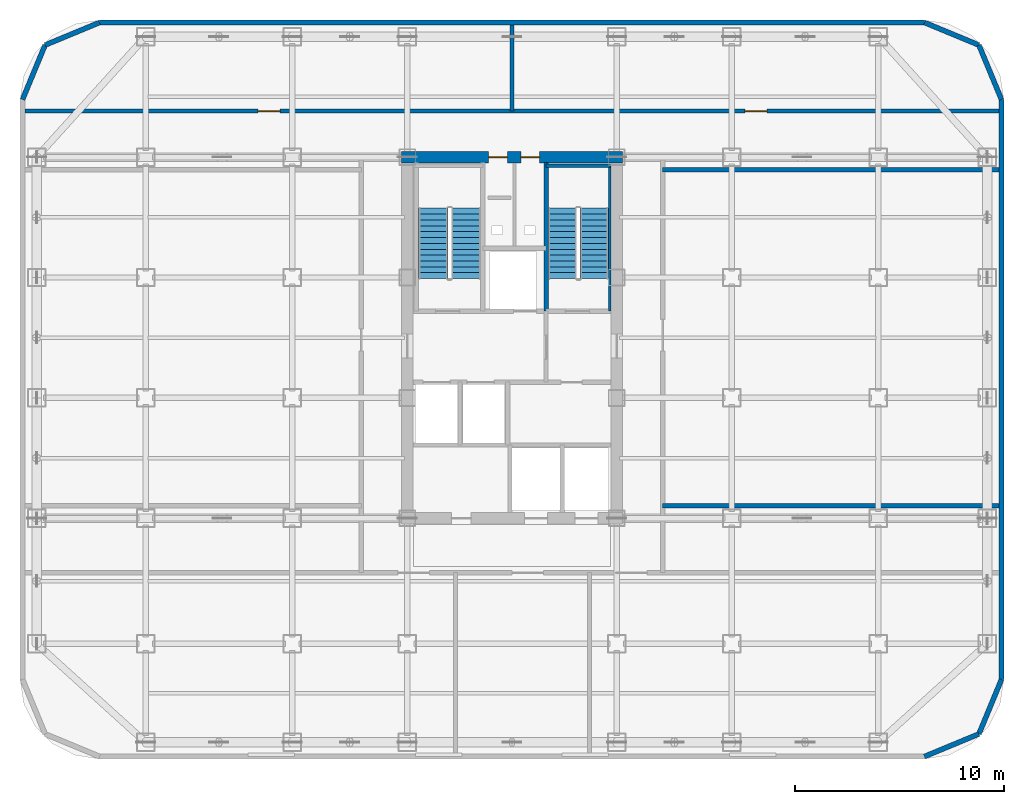
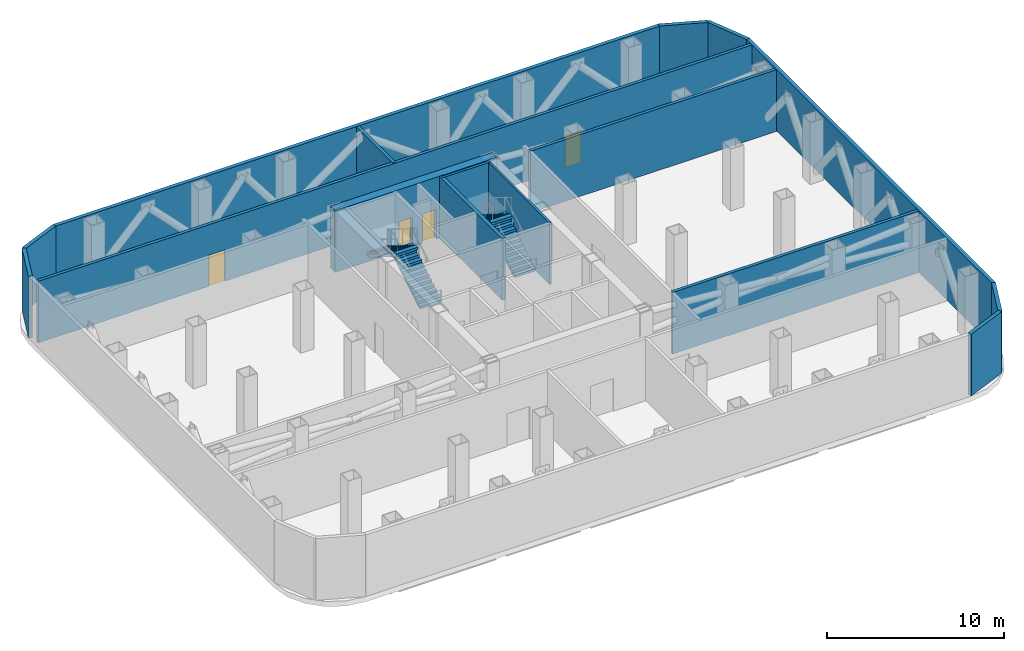
# One storey, part 8 of 9: 16 walls, 4 doors, 4 stair flights, 4 openings, 2 elements without a shape of their own.
"""IFC4 building model written with IfcOpenShell, lengths in metres."""

import ifcopenshell
import ifcopenshell.guid

model = None  # the IFC model being written
_history = None  # IfcOwnerHistory: only IFC2X3 demands one
_inside = {}  # id of a spatial element -> (the spatial element, [elements in it])
_under = {}  # id of a project, library or spatial element -> (it, [spatial elements below it])
_declared = {}  # id of a project -> (the project, [libraries it declares])
_typed = {}  # id of a type object -> (the type object, [elements of that type])
_made_of = {}  # id of a material, layer set ... -> (it, [elements and type objects made of it])


def new_model(schema):
    """Start an empty IFC model of exactly this schema.

    Asked for "IFC4X3", IfcOpenShell would pick the latest addendum, in which some entities
    have other attributes; the version numbers below select the first issue.
    IFC2X3 requires an IfcOwnerHistory on every rooted entity: one is made here for all.
    """
    global model, _history
    if schema == "IFC4X3":
        model = ifcopenshell.file(schema_version=(4, 3, 0, 0))
    else:
        model = ifcopenshell.file(schema=schema)
    _inside.clear()
    _under.clear()
    _declared.clear()
    _typed.clear()
    _made_of.clear()
    _history = None
    if model.schema == "IFC2X3":
        org = make("IfcOrganization", Name="unknown")
        user = make(
            "IfcPersonAndOrganization",
            ThePerson=make("IfcPerson", FamilyName="unknown"),
            TheOrganization=org,
        )
        app = make(
            "IfcApplication",
            ApplicationDeveloper=org,
            Version="unknown",
            ApplicationFullName="unknown",
            ApplicationIdentifier="unknown",
        )
        _history = make(
            "IfcOwnerHistory",
            OwningUser=user,
            OwningApplication=app,
            ChangeAction="ADDED",
            CreationDate=0,
        )
    return model


def make(cls, **values):
    """One entity of the class cls with the attributes given. An attribute that is None is left unset."""
    return model.create_entity(
        cls, **{name: value for name, value in values.items() if value is not None}
    )


def rooted(cls, **values):
    """An entity with a GlobalId (a new one), such as an element, a storey or a relation."""
    return make(cls, GlobalId=ifcopenshell.guid.new(), OwnerHistory=_history, **values)


def si_unit(unit_type, name, prefix=None):
    """IfcSIUnit, for example si_unit("LENGTHUNIT", "METRE", prefix="MILLI")."""
    return make("IfcSIUnit", UnitType=unit_type, Prefix=prefix, Name=name)


def assignment(units):
    """IfcUnitAssignment: the units of a project."""
    return None if units is None else make("IfcUnitAssignment", Units=units)


def point(xyz):
    """IfcCartesianPoint."""
    return None if xyz is None else make("IfcCartesianPoint", Coordinates=xyz)


def direction(xyz):
    """IfcDirection."""
    return None if xyz is None else make("IfcDirection", DirectionRatios=xyz)


def frame(location, z_axis=None, x_axis=None):
    """IfcAxis2Placement3D, a coordinate frame: its origin and axes. An axis left out is left unset."""
    return make(
        "IfcAxis2Placement3D",
        Location=point(location),
        Axis=direction(z_axis),
        RefDirection=direction(x_axis),
    )


def frame_2d(location, x_axis=None):
    """IfcAxis2Placement2D, a coordinate frame in the plane: its origin and x axis."""
    return make(
        "IfcAxis2Placement2D", Location=point(location), RefDirection=direction(x_axis)
    )


def origin():
    """The frame at (0, 0, 0) with its axes left unset."""
    return frame((0.0, 0.0, 0.0))


def place(relative_to, where):
    """IfcLocalPlacement: puts the frame where relative to a parent placement (None: the world)."""
    return make(
        "IfcLocalPlacement", PlacementRelTo=relative_to, RelativePlacement=where
    )


def context(
    kind, dimensions, precision=None, world=None, true_north=None, identifier=None
):
    """IfcGeometricRepresentationContext, for example the 3D "Model" context."""
    return make(
        "IfcGeometricRepresentationContext",
        ContextIdentifier=identifier,
        ContextType=kind,
        CoordinateSpaceDimension=dimensions,
        Precision=precision,
        WorldCoordinateSystem=world,
        TrueNorth=true_north,
    )


def subcontext(parent, identifier, kind, view, scale=None):
    """IfcGeometricRepresentationSubContext, for example "Body" below "Model"."""
    return make(
        "IfcGeometricRepresentationSubContext",
        ContextIdentifier=identifier,
        ContextType=kind,
        ParentContext=parent,
        TargetScale=scale,
        TargetView=view,
    )


def project(units=None, contexts=None):
    """IfcProject with its units and contexts."""
    return rooted(
        "IfcProject",
        Name="project",
        RepresentationContexts=contexts,
        UnitsInContext=assignment(units),
    )


def spatial(cls, under=None, at=None, **own):
    """A site, building, storey or space (cls), placed at a placement, below another one or the project."""
    s = rooted(cls, ObjectPlacement=at, **own)
    if under is not None:
        _under.setdefault(under.id(), (under, []))[1].append(s)
    return s


def polyline(points):
    """IfcPolyline through the points."""
    return make("IfcPolyline", Points=[point(p) for p in points])


def profile(cls, at=None, kind="AREA", **sizes):
    """A parametric profile (cls). Its sizes go by their IFC names, for example OverallWidth=200.0."""
    return make(cls, ProfileType=kind, Position=at, **sizes)


def rectangle(**sizes):
    """IfcRectangleProfileDef."""
    return profile("IfcRectangleProfileDef", **sizes)


def outline(outer, holes=None, kind="AREA"):
    """IfcArbitraryClosedProfileDef: a profile drawn as a closed curve; with holes, ...WithVoids."""
    if holes is None:
        return make("IfcArbitraryClosedProfileDef", ProfileType=kind, OuterCurve=outer)
    return make(
        "IfcArbitraryProfileDefWithVoids",
        ProfileType=kind,
        OuterCurve=outer,
        InnerCurves=holes,
    )


def extrude(swept, where, along, depth):
    """IfcExtrudedAreaSolid: the profile swept, set in the frame where, extruded along a direction by depth."""
    return make(
        "IfcExtrudedAreaSolid",
        SweptArea=swept,
        Position=where,
        ExtrudedDirection=direction(along),
        Depth=depth,
    )


def shape(context_of_items, identifier, shape_type, items):
    """IfcShapeRepresentation: the items that make up one representation, for example the "Body"."""
    return make(
        "IfcShapeRepresentation",
        ContextOfItems=context_of_items,
        RepresentationIdentifier=identifier,
        RepresentationType=shape_type,
        Items=items,
    )


def material(Name=None, Category=None):
    """IfcMaterial."""
    return make("IfcMaterial", Name=Name, Category=Category)


def layer(
    of_material, thickness, ventilated=None, Name=None, Category=None, Priority=None
):
    """IfcMaterialLayer: one layer of a wall or slab, of a material (None: an air gap)."""
    return make(
        "IfcMaterialLayer",
        Material=of_material,
        LayerThickness=thickness,
        IsVentilated=ventilated,
        Name=Name,
        Category=Category,
        Priority=Priority,
    )


def layer_set(layers, Name=None):
    """IfcMaterialLayerSet."""
    return make("IfcMaterialLayerSet", MaterialLayers=layers, LayerSetName=Name)


def made_of(thing, what):
    """Note that an element or type object is made of a material, layer set ...; save() writes the relation."""
    if what is not None:
        _made_of.setdefault(what.id(), (what, []))[1].append(thing)
    return thing


def type_object(cls, material=None, **own):
    """A type object (cls), such as IfcWallType, which elements share."""
    return made_of(rooted(cls, **own), material)


def element(
    cls,
    number,
    at=None,
    inside=None,
    cuts=None,
    type_object=None,
    material=None,
    context=None,
    identifier="Body",
    shape_type=None,
    held_by="IfcProductDefinitionShape",
    body=None,
    shapes=None,
    **own,
):
    """One element of the class cls, such as IfcWall. Its Tag is "e" and its number.

    at: its placement. inside: the storey or other place that contains it. cuts: it is an
    opening in that element (IfcRelVoidsElement). A single representation is given by context,
    identifier, shape_type and body (its items); several are given by shapes. held_by: the class
    of the entity that holds the representations. save() writes the other relations.
    """
    e = rooted(cls, Tag="e%d" % number, ObjectPlacement=at, **own)
    if body is not None:
        shapes = [shape(context, identifier, shape_type, body)]
    if shapes is not None:
        e.Representation = make(held_by, Representations=shapes)
    if inside is not None:
        _inside.setdefault(inside.id(), (inside, []))[1].append(e)
    if cuts is not None:
        rooted(
            "IfcRelVoidsElement", RelatingBuildingElement=cuts, RelatedOpeningElement=e
        )
    if type_object is not None:
        _typed.setdefault(type_object.id(), (type_object, []))[1].append(e)
    return made_of(e, material)


def fill(opening, filler):
    """IfcRelFillsElement: the door or window that sits in an opening."""
    return rooted(
        "IfcRelFillsElement",
        RelatingOpeningElement=opening,
        RelatedBuildingElement=filler,
    )


def aggregate(whole, parts):
    """IfcRelAggregates: a whole, such as a stair, and the parts it consists of."""
    return rooted("IfcRelAggregates", RelatingObject=whole, RelatedObjects=parts)


def save(model, path):
    """Write the relations noted so far, then the file.

    IfcRelAggregates (storeys below a building ...), IfcRelContainedInSpatialStructure (elements
    in a storey), IfcRelDefinesByType, IfcRelAssociatesMaterial and IfcRelDeclares: one each for
    every whole, place, type object, material and project.
    """
    for whole, parts in _under.values():
        aggregate(whole, parts)
    for where, things in _inside.values():
        rooted(
            "IfcRelContainedInSpatialStructure",
            RelatedElements=things,
            RelatingStructure=where,
        )
    for kind, things in _typed.values():
        rooted("IfcRelDefinesByType", RelatedObjects=things, RelatingType=kind)
    for what, things in _made_of.values():
        rooted("IfcRelAssociatesMaterial", RelatedObjects=things, RelatingMaterial=what)
    for by, libraries in _declared.values():
        rooted("IfcRelDeclares", RelatingContext=by, RelatedDefinitions=libraries)
    model.write(path)


model = new_model("IFC4")

# Units and contexts
model_context = context("Model", 3, precision=1e-05, world=origin(), true_north=direction((0.0, 1.0)))
body_context = subcontext(model_context, "Body", "Model", "MODEL_VIEW")
ifc_project = project(units=[si_unit("LENGTHUNIT", "METRE"), si_unit("AREAUNIT", "SQUARE_METRE"), si_unit("VOLUMEUNIT", "CUBIC_METRE"), si_unit("PLANEANGLEUNIT", "RADIAN"), si_unit("MASSUNIT", "GRAM", prefix="KILO")], contexts=[model_context])

# Site, building, storey
site_placement = place(None, origin())
site = spatial("IfcSite", under=ifc_project, at=site_placement, CompositionType="ELEMENT")
building_placement = place(site_placement, origin())
building = spatial("IfcBuilding", under=site, at=building_placement, Name="Kolveth Station Tower", CompositionType="ELEMENT")
storey_placement = place(building_placement, frame((0.0, 0.0, 143.89990234375)))
storey = spatial("IfcBuildingStorey", under=building, at=storey_placement, Name="L40", CompositionType="ELEMENT", Elevation=143.89990234375)

# Wall, openings, doors
ifc_material_1 = material(Name="Concrete C60/75", Category="concrete")
ifc_layer_1 = layer(ifc_material_1, 0.550048828125)
ifc_layer_set_1 = layer_set([ifc_layer_1], Name="Concrete C60/75")
wall_type_1 = type_object("IfcWallType", Name="Wall_CW-550", PredefinedType="SHEAR", material=ifc_layer_set_1)
wall_1_placement = place(storey_placement, frame((18.22509765625, 28.75, 0.0), z_axis=(0.0, 0.0, 1.0), x_axis=(1.0, 0.0, 0.0)))
wall_1 = element("IfcWall", 1, at=wall_1_placement, inside=storey, type_object=wall_type_1, Name="L40 Core RC Shear Wall N", PredefinedType="SHEAR", context=body_context, shape_type="SweptSolid", body=[
    extrude(rectangle(XDim=10.5498046875, YDim=0.550048828125, at=frame_2d((5.27490234375, 0.0))), origin(), (0.0, 0.0, 1.0), 4.25),
])
opening_1_placement = place(wall_1_placement, frame((4.155029296875, 0.0, 0.0)))
opening_1 = element("IfcOpeningElement", 2, at=opening_1_placement, cuts=wall_1, Name="Opening RD1", PredefinedType="OPENING", context=body_context, shape_type="SweptSolid", body=[
    extrude(rectangle(XDim=0.89990234375, YDim=2.050048828125, at=frame_2d((0.449951171875, 1.02490234375))), frame((0.0, 0.284912109375, 0.0), z_axis=(0.0, -1.0, 0.0), x_axis=(1.0, 0.0, 0.0)), (0.0, 0.0, 1.0), 0.570068359375),
])
opening_2_placement = place(wall_1_placement, frame((5.695068359375, 0.0, 0.0)))
opening_2 = element("IfcOpeningElement", 3, at=opening_2_placement, cuts=wall_1, Name="Opening RD1", PredefinedType="OPENING", context=body_context, shape_type="SweptSolid", body=[
    extrude(rectangle(XDim=0.89990234375, YDim=2.050048828125, at=frame_2d((0.449951171875, 1.02490234375))), frame((0.0, 0.284912109375, 0.0), z_axis=(0.0, -1.0, 0.0), x_axis=(1.0, 0.0, 0.0)), (0.0, 0.0, 1.0), 0.570068359375),
])
ifc_material_2 = material(Name="Fire-rated Steel S355 riser access leaf", Category="steel")
door_type_1 = type_object("IfcDoorType", Name="Door_RD1", OperationType="NOTDEFINED", PredefinedType="DOOR", material=ifc_material_2)
door_1_placement = place(opening_1_placement, origin())
door_1 = element("IfcDoor", 4, at=door_1_placement, inside=storey, type_object=door_type_1, Name="L40 Electrical Riser Access Door", OperationType="SINGLE_SWING_LEFT", OverallHeight=2.050048828125, OverallWidth=0.89990234375, PredefinedType="DOOR", context=body_context, shape_type="SweptSolid", body=[
    extrude(rectangle(XDim=0.89990234375, YDim=2.050048828125, at=frame_2d((0.449951171875, 1.02490234375))), frame((0.0, 0.02490234375, 0.0), z_axis=(0.0, -1.0, 0.0), x_axis=(1.0, 0.0, 0.0)), (0.0, 0.0, 1.0), 0.050048828125),
])
fill(opening_1, door_1)
door_2_placement = place(opening_2_placement, origin())
door_2 = element("IfcDoor", 5, at=door_2_placement, inside=storey, type_object=door_type_1, Name="L40 Smoke Duct Access Door", OperationType="SINGLE_SWING_RIGHT", OverallHeight=2.050048828125, OverallWidth=0.89990234375, PredefinedType="DOOR", context=body_context, shape_type="SweptSolid", body=[
    extrude(rectangle(XDim=0.89990234375, YDim=2.050048828125, at=frame_2d((0.449951171875, 1.02490234375))), frame((0.0, 0.02490234375, 0.0), z_axis=(0.0, -1.0, 0.0), x_axis=(1.0, 0.0, 0.0)), (0.0, 0.0, 1.0), 0.050048828125),
])
fill(opening_2, door_2)

# Walls
ifc_material_3 = material(Name="Precast concrete C40/50", Category="concrete")
ifc_layer_2 = layer(ifc_material_3, 0.239990234375)
ifc_layer_set_2 = layer_set([ifc_layer_2], Name="Precast concrete C40/50")
wall_type_2 = type_object("IfcWallType", Name="Wall_EW-240", PredefinedType="SOLIDWALL", material=ifc_layer_set_2)
for number, where, z_axis, x_axis, name in (
    (6, (43.199951171875, 0.1201171875, 0.0), (0.0, 0.0, 1.0), (0.923913311563, 0.382601872337, 0.0), "L40 Plant Perimeter Spandrel Wall 1"),
    (7, (45.80224609375, 1.19775390625, 0.0), (0.0, 0.0, 1.0), (0.382601872337, 0.923913311563, 0.0), "L40 Plant Perimeter Spandrel Wall 2"),
):
    element("IfcWall", number, at=place(storey_placement, frame(where, z_axis=z_axis, x_axis=x_axis)), inside=storey, type_object=wall_type_2, Name=name, PredefinedType="SOLIDWALL", context=body_context, shape_type="SweptSolid", body=[
        extrude(rectangle(XDim=2.816650390625, YDim=0.239990234375, at=frame_2d((1.408203125, 0.0))), origin(), (0.0, 0.0, 1.0), 4.25),
    ])
wall_2_placement = place(storey_placement, frame((46.8798828125, 3.800048828125, 0.0), z_axis=(0.0, 0.0, 1.0), x_axis=(0.0, 1.0, 0.0)))
element("IfcWall", 8, at=wall_2_placement, inside=storey, type_object=wall_type_2, Name="L40 Plant Perimeter Spandrel Wall 3", PredefinedType="SOLIDWALL", context=body_context, shape_type="SweptSolid", body=[
    extrude(rectangle(XDim=27.699951171875, YDim=0.239990234375, at=frame_2d((13.85009765625, 0.0))), origin(), (0.0, 0.0, 1.0), 4.25),
])
for number, where, z_axis, x_axis, name in (
    (9, (46.8798828125, 31.5, 0.0), (0.0, 0.0, 1.0), (-0.382601872337, 0.923913311563, 0.0), "L40 Plant Perimeter Spandrel Wall 4"),
    (10, (45.80224609375, 34.102294921875, 0.0), (0.0, 0.0, 1.0), (-0.923913311563, 0.382601872337, 0.0), "L40 Plant Perimeter Spandrel Wall 5"),
):
    element("IfcWall", number, at=place(storey_placement, frame(where, z_axis=z_axis, x_axis=x_axis)), inside=storey, type_object=wall_type_2, Name=name, PredefinedType="SOLIDWALL", context=body_context, shape_type="SweptSolid", body=[
        extrude(rectangle(XDim=2.816650390625, YDim=0.239990234375, at=frame_2d((1.408203125, 0.0))), origin(), (0.0, 0.0, 1.0), 4.25),
    ])
wall_3_placement = place(storey_placement, frame((43.199951171875, 35.179931640625, 0.0), z_axis=(0.0, 0.0, 1.0), x_axis=(-1.0, 0.0, 0.0)))
element("IfcWall", 11, at=wall_3_placement, inside=storey, type_object=wall_type_2, Name="L40 Plant Perimeter Spandrel Wall 6", PredefinedType="SOLIDWALL", context=body_context, shape_type="SweptSolid", body=[
    extrude(rectangle(XDim=39.39990234375, YDim=0.239990234375, at=frame_2d((19.699951171875, 0.0))), origin(), (0.0, 0.0, 1.0), 4.25),
])
for number, where, z_axis, x_axis, name in (
    (12, (3.800048828125, 35.179931640625, 0.0), (0.0, 0.0, 1.0), (-0.923913311563, -0.382601872337, 0.0), "L40 Plant Perimeter Spandrel Wall 7"),
    (13, (1.19775390625, 34.102294921875, 0.0), (0.0, 0.0, 1.0), (-0.382601872337, -0.923913311563, 0.0), "L40 Plant Perimeter Spandrel Wall 8"),
):
    element("IfcWall", number, at=place(storey_placement, frame(where, z_axis=z_axis, x_axis=x_axis)), inside=storey, type_object=wall_type_2, Name=name, PredefinedType="SOLIDWALL", context=body_context, shape_type="SweptSolid", body=[
        extrude(rectangle(XDim=2.816650390625, YDim=0.239990234375, at=frame_2d((1.408203125, 0.0))), origin(), (0.0, 0.0, 1.0), 4.25),
    ])
ifc_material_4 = material(Name="Moisture-resistant gypsum partition")
ifc_layer_3 = layer(ifc_material_4, 0.135009765625)
ifc_layer_set_3 = layer_set([ifc_layer_3], Name="Moisture-resistant gypsum partition")
wall_type_3 = type_object("IfcWallType", Name="Wall_IW-135", PredefinedType="PARTITIONING", material=ifc_layer_set_3)
wall_4_placement = place(storey_placement, frame((28.16748046875, 21.389892578125, 0.0), z_axis=(0.0, 0.0, 1.0), x_axis=(0.0, 1.0, 0.0)))
element("IfcWall", 14, at=wall_4_placement, inside=storey, type_object=wall_type_3, Name="L40 Stair Shaft Wall WL-L40-ST2-E", PredefinedType="PARTITIONING", context=body_context, shape_type="SweptSolid", body=[
    extrude(rectangle(XDim=6.945068359375, YDim=0.135009765625, at=frame_2d((3.47265625, 0.0))), origin(), (0.0, 0.0, 1.0), 4.25),
])
ifc_material_5 = material(Name="Acoustic double-stud gypsum partition")
ifc_layer_4 = layer(ifc_material_5, 0.1650390625)
ifc_layer_set_4 = layer_set([ifc_layer_4], Name="Acoustic double-stud gypsum partition")
wall_type_4 = type_object("IfcWallType", Name="Wall_IW-165", PredefinedType="PARTITIONING", material=ifc_layer_set_4)
wall_5_placement = place(storey_placement, frame((25.1298828125, 28.3349609375, 0.0), z_axis=(0.0, 0.0, 1.0), x_axis=(1.0, 0.0, 0.0)))
element("IfcWall", 15, at=wall_5_placement, inside=storey, type_object=wall_type_4, Name="L40 Stair Shaft Wall WL-L40-ST2-N", PredefinedType="PARTITIONING", context=body_context, shape_type="SweptSolid", body=[
    extrude(rectangle(XDim=3.085205078125, YDim=0.1650390625, at=frame_2d((1.54248046875, 0.0))), origin(), (0.0, 0.0, 1.0), 4.25),
])

# Wall, openings, doors
ifc_material_6 = material(Name="Acoustic fire-rated gypsum blockwork", Category="masonry")
ifc_layer_5 = layer(ifc_material_6, 0.199951171875)
ifc_layer_set_5 = layer_set([ifc_layer_5], Name="Acoustic fire-rated gypsum blockwork")
wall_type_5 = type_object("IfcWallType", Name="Wall_IW-200", PredefinedType="PARTITIONING", material=ifc_layer_set_5)
wall_6_placement = place(storey_placement, frame((0.25, 30.949951171875, 0.0), z_axis=(0.0, 0.0, 1.0), x_axis=(1.0, 0.0, 0.0)))
wall_6 = element("IfcWall", 16, at=wall_6_placement, inside=storey, type_object=wall_type_5, Name="L40 Partition Wall WL-L40-PR-N", PredefinedType="PARTITIONING", context=body_context, shape_type="SweptSolid", body=[
    extrude(rectangle(XDim=46.5, YDim=0.199951171875, at=frame_2d((23.25, 0.0))), origin(), (0.0, 0.0, 1.0), 4.25),
])
opening_3_placement = place(wall_6_placement, frame((11.125, 0.0, 0.0)))
opening_3 = element("IfcOpeningElement", 17, at=opening_3_placement, cuts=wall_6, Name="Opening FD2", PredefinedType="OPENING", context=body_context, shape_type="SweptSolid", body=[
    extrude(rectangle(XDim=1.050048828125, YDim=2.14990234375, at=frame_2d((0.52490234375, 1.074951171875))), frame((0.0, 0.10986328125, 0.0), z_axis=(0.0, -1.0, 0.0), x_axis=(1.0, 0.0, 0.0)), (0.0, 0.0, 1.0), 0.219970703125),
])
opening_4_placement = place(wall_6_placement, frame((34.375, 0.0, 0.0)))
opening_4 = element("IfcOpeningElement", 18, at=opening_4_placement, cuts=wall_6, Name="Opening FD2", PredefinedType="OPENING", context=body_context, shape_type="SweptSolid", body=[
    extrude(rectangle(XDim=1.050048828125, YDim=2.14990234375, at=frame_2d((0.52490234375, 1.074951171875))), frame((0.0, 0.10986328125, 0.0), z_axis=(0.0, -1.0, 0.0), x_axis=(1.0, 0.0, 0.0)), (0.0, 0.0, 1.0), 0.219970703125),
])
ifc_material_7 = material(Name="Fire-rated Steel S355 leaf and frame", Category="steel")
door_type_2 = type_object("IfcDoorType", Name="Door_FD2", OperationType="NOTDEFINED", PredefinedType="DOOR", material=ifc_material_7)
door_3_placement = place(opening_3_placement, origin())
door_3 = element("IfcDoor", 19, at=door_3_placement, inside=storey, type_object=door_type_2, Name="L40 Smoke Extract Fan Plant Room Door", OperationType="SINGLE_SWING_LEFT", OverallHeight=2.14990234375, OverallWidth=1.050048828125, PredefinedType="DOOR", context=body_context, shape_type="SweptSolid", body=[
    extrude(rectangle(XDim=1.050048828125, YDim=2.14990234375, at=frame_2d((0.52490234375, 1.074951171875))), frame((0.0, 0.02490234375, 0.0), z_axis=(0.0, -1.0, 0.0), x_axis=(1.0, 0.0, 0.0)), (0.0, 0.0, 1.0), 0.050048828125),
])
fill(opening_3, door_3)
door_4_placement = place(opening_4_placement, origin())
door_4 = element("IfcDoor", 20, at=door_4_placement, inside=storey, type_object=door_type_2, Name="L40 Air Handling Plant Room Door", OperationType="SINGLE_SWING_RIGHT", OverallHeight=2.14990234375, OverallWidth=1.050048828125, PredefinedType="DOOR", context=body_context, shape_type="SweptSolid", body=[
    extrude(rectangle(XDim=1.050048828125, YDim=2.14990234375, at=frame_2d((0.52490234375, 1.074951171875))), frame((0.0, 0.02490234375, 0.0), z_axis=(0.0, -1.0, 0.0), x_axis=(1.0, 0.0, 0.0)), (0.0, 0.0, 1.0), 0.050048828125),
])
fill(opening_4, door_4)

# Walls
wall_7_placement = place(storey_placement, frame((23.5, 30.949951171875, 0.0), z_axis=(0.0, 0.0, 1.0), x_axis=(0.0, 1.0, 0.0)))
element("IfcWall", 21, at=wall_7_placement, inside=storey, type_object=wall_type_5, Name="L40 Partition Wall WL-L40-PN-P1", PredefinedType="PARTITIONING", context=body_context, shape_type="SweptSolid", body=[
    extrude(rectangle(XDim=4.10009765625, YDim=0.199951171875, at=frame_2d((2.050048828125, 0.0))), origin(), (0.0, 0.0, 1.0), 4.25),
])
for number, where, z_axis, x_axis, name in (
    (22, (30.699951171875, 12.10009765625, 0.0), (0.0, 0.0, 1.0), (1.0, 0.0, 0.0), "L40 Partition Wall WL-L40-OG-ES"),
    (23, (30.699951171875, 28.14990234375, 0.0), (0.0, 0.0, 1.0), (1.0, 0.0, 0.0), "L40 Partition Wall WL-L40-OG-EN"),
):
    element("IfcWall", number, at=place(storey_placement, frame(where, z_axis=z_axis, x_axis=x_axis)), inside=storey, type_object=wall_type_5, Name=name, PredefinedType="PARTITIONING", context=body_context, shape_type="SweptSolid", body=[
        extrude(rectangle(XDim=16.050048828125, YDim=0.199951171875, at=frame_2d((8.02490234375, 0.0))), origin(), (0.0, 0.0, 1.0), 4.25),
    ])
ifc_material_8 = material(Name="Concrete C40/50", Category="concrete")
ifc_layer_6 = layer(ifc_material_8, 0.219970703125)
ifc_layer_set_6 = layer_set([ifc_layer_6], Name="Concrete C40/50")
wall_type_6 = type_object("IfcWallType", Name="Wall_IW-220", PredefinedType="SOLIDWALL", material=ifc_layer_set_6)
wall_8_placement = place(storey_placement, frame((25.1298828125, 21.389892578125, 0.0), z_axis=(0.0, 0.0, 1.0), x_axis=(0.0, 1.0, 0.0)))
element("IfcWall", 24, at=wall_8_placement, inside=storey, type_object=wall_type_6, Name="L40 Stair Shaft Wall WL-L40-ST2-W", PredefinedType="SOLIDWALL", context=body_context, shape_type="SweptSolid", body=[
    extrude(rectangle(XDim=7.110107421875, YDim=0.219970703125, at=frame_2d((3.55517578125, 0.0))), origin(), (0.0, 0.0, 1.0), 4.25),
])

# Stair, stair flights
stair_type_1 = type_object("IfcStairType", Name="Stair_ST1", PredefinedType="HALF_TURN_STAIR", material=ifc_material_8)
stair_1_placement = place(storey_placement, origin())
stair_1 = element("IfcStair", 25, at=stair_1_placement, inside=storey, type_object=stair_type_1, Name="L40 Tower Exit Stair ST1", PredefinedType="HALF_TURN_STAIR")
ifc_layer_7 = layer(ifc_material_8, 0.179931640625)
ifc_layer_set_7 = layer_set([ifc_layer_7], Name="Concrete C40/50")
stair_flight_type_1 = type_object("IfcStairFlightType", Name="Flight_ST1", PredefinedType="STRAIGHT", material=ifc_layer_set_7)
stair_flight_1_placement = place(storey_placement, frame((21.300048828125, 22.949951171875, 0.0), z_axis=(0.0, 0.0, 1.0), x_axis=(0.0, 1.0, 0.0)))
stair_flight_1 = element("IfcStairFlight", 26, at=stair_flight_1_placement, type_object=stair_flight_type_1, Name="ST1 flight 1", NumberOfRisers=13, NumberOfTreads=12, PredefinedType="STRAIGHT", RiserHeight=0.173076923, TreadLength=0.28, context=body_context, shape_type="SweptSolid", body=[
    extrude(outline(polyline([(0.0, 0.0), (0.0, 0.173095703125), (0.280029296875, 0.173095703125), (0.280029296875, 0.34619140625), (0.56005859375, 0.34619140625), (0.56005859375, 0.519287109375), (0.840087890625, 0.519287109375), (0.840087890625, 0.6923828125), (1.1201171875, 0.6923828125), (1.1201171875, 0.865478515625), (1.39990234375, 0.865478515625), (1.39990234375, 1.03857421875), (1.679931640625, 1.03857421875), (1.679931640625, 1.21142578125), (1.9599609375, 1.21142578125), (1.9599609375, 1.384521484375), (2.239990234375, 1.384521484375), (2.239990234375, 1.5576171875), (2.52001953125, 1.5576171875), (2.52001953125, 1.730712890625), (2.800048828125, 1.730712890625), (2.800048828125, 1.90380859375), (3.080078125, 1.90380859375), (3.080078125, 2.076904296875), (3.360107421875, 2.076904296875), (3.360107421875, 2.25), (3.360107421875, 1.900634765625), (0.28515625, 0.0), (0.0, 0.0)])), frame((0.0, 0.699951171875, 0.0), z_axis=(0.0, -1.0, 0.0), x_axis=(1.0, 0.0, 0.0)), (0.0, 0.0, 1.0), 1.39990234375),
])
stair_flight_2_placement = place(storey_placement, frame((19.739990234375, 26.31005859375, 2.25), z_axis=(0.0, 0.0, 1.0), x_axis=(0.0, -1.0, 0.0)))
stair_flight_2 = element("IfcStairFlight", 27, at=stair_flight_2_placement, type_object=stair_flight_type_1, Name="ST1 flight 2", NumberOfRisers=13, NumberOfTreads=12, PredefinedType="STRAIGHT", RiserHeight=0.173076923, TreadLength=0.28, context=body_context, shape_type="SweptSolid", body=[
    extrude(outline(polyline([(0.0, 0.0), (0.0, 0.173095703125), (0.280029296875, 0.173095703125), (0.280029296875, 0.34619140625), (0.56005859375, 0.34619140625), (0.56005859375, 0.519287109375), (0.840087890625, 0.519287109375), (0.840087890625, 0.6923828125), (1.1201171875, 0.6923828125), (1.1201171875, 0.865478515625), (1.39990234375, 0.865478515625), (1.39990234375, 1.03857421875), (1.679931640625, 1.03857421875), (1.679931640625, 1.21142578125), (1.9599609375, 1.21142578125), (1.9599609375, 1.384521484375), (2.239990234375, 1.384521484375), (2.239990234375, 1.5576171875), (2.52001953125, 1.5576171875), (2.52001953125, 1.730712890625), (2.800048828125, 1.730712890625), (2.800048828125, 1.90380859375), (3.080078125, 1.90380859375), (3.080078125, 2.076904296875), (3.360107421875, 2.076904296875), (3.360107421875, 2.25), (3.360107421875, 1.900634765625), (0.28515625, 0.0), (0.0, 0.0)])), frame((0.0, 0.699951171875, 0.0), z_axis=(0.0, -1.0, 0.0), x_axis=(1.0, 0.0, 0.0)), (0.0, 0.0, 1.0), 1.39990234375),
])
aggregate(stair_1, [stair_flight_1, stair_flight_2])

stair_type_2 = type_object("IfcStairType", Name="Stair_ST2", PredefinedType="HALF_TURN_STAIR", material=ifc_material_8)
stair_2_placement = place(storey_placement, origin())
stair_2 = element("IfcStair", 28, at=stair_2_placement, inside=storey, type_object=stair_type_2, Name="L40 Tower Exit Stair ST2", PredefinedType="HALF_TURN_STAIR")
ifc_layer_8 = layer(ifc_material_8, 0.179931640625)
ifc_layer_set_8 = layer_set([ifc_layer_8], Name="Concrete C40/50")
stair_flight_type_2 = type_object("IfcStairFlightType", Name="Flight_ST2", PredefinedType="STRAIGHT", material=ifc_layer_set_8)
stair_flight_3_placement = place(storey_placement, frame((27.425048828125, 22.949951171875, 0.0), z_axis=(0.0, 0.0, 1.0), x_axis=(0.0, 1.0, 0.0)))
stair_flight_3 = element("IfcStairFlight", 29, at=stair_flight_3_placement, type_object=stair_flight_type_2, Name="ST2 flight 1", NumberOfRisers=13, NumberOfTreads=12, PredefinedType="STRAIGHT", RiserHeight=0.173076923, TreadLength=0.28, context=body_context, shape_type="SweptSolid", body=[
    extrude(outline(polyline([(0.0, 0.0), (0.0, 0.173095703125), (0.280029296875, 0.173095703125), (0.280029296875, 0.34619140625), (0.56005859375, 0.34619140625), (0.56005859375, 0.519287109375), (0.840087890625, 0.519287109375), (0.840087890625, 0.6923828125), (1.1201171875, 0.6923828125), (1.1201171875, 0.865478515625), (1.39990234375, 0.865478515625), (1.39990234375, 1.03857421875), (1.679931640625, 1.03857421875), (1.679931640625, 1.21142578125), (1.9599609375, 1.21142578125), (1.9599609375, 1.384521484375), (2.239990234375, 1.384521484375), (2.239990234375, 1.5576171875), (2.52001953125, 1.5576171875), (2.52001953125, 1.730712890625), (2.800048828125, 1.730712890625), (2.800048828125, 1.90380859375), (3.080078125, 1.90380859375), (3.080078125, 2.076904296875), (3.360107421875, 2.076904296875), (3.360107421875, 2.25), (3.360107421875, 1.900634765625), (0.28515625, 0.0), (0.0, 0.0)])), frame((0.0, 0.675048828125, 0.0), z_axis=(0.0, -1.0, 0.0), x_axis=(1.0, 0.0, 0.0)), (0.0, 0.0, 1.0), 1.35009765625),
])
stair_flight_4_placement = place(storey_placement, frame((25.9150390625, 26.31005859375, 2.25), z_axis=(0.0, 0.0, 1.0), x_axis=(0.0, -1.0, 0.0)))
stair_flight_4 = element("IfcStairFlight", 30, at=stair_flight_4_placement, type_object=stair_flight_type_2, Name="ST2 flight 2", NumberOfRisers=13, NumberOfTreads=12, PredefinedType="STRAIGHT", RiserHeight=0.173076923, TreadLength=0.28, context=body_context, shape_type="SweptSolid", body=[
    extrude(outline(polyline([(0.0, 0.0), (0.0, 0.173095703125), (0.280029296875, 0.173095703125), (0.280029296875, 0.34619140625), (0.56005859375, 0.34619140625), (0.56005859375, 0.519287109375), (0.840087890625, 0.519287109375), (0.840087890625, 0.6923828125), (1.1201171875, 0.6923828125), (1.1201171875, 0.865478515625), (1.39990234375, 0.865478515625), (1.39990234375, 1.03857421875), (1.679931640625, 1.03857421875), (1.679931640625, 1.21142578125), (1.9599609375, 1.21142578125), (1.9599609375, 1.384521484375), (2.239990234375, 1.384521484375), (2.239990234375, 1.5576171875), (2.52001953125, 1.5576171875), (2.52001953125, 1.730712890625), (2.800048828125, 1.730712890625), (2.800048828125, 1.90380859375), (3.080078125, 1.90380859375), (3.080078125, 2.076904296875), (3.360107421875, 2.076904296875), (3.360107421875, 2.25), (3.360107421875, 1.900634765625), (0.28515625, 0.0), (0.0, 0.0)])), frame((0.0, 0.675048828125, 0.0), z_axis=(0.0, -1.0, 0.0), x_axis=(1.0, 0.0, 0.0)), (0.0, 0.0, 1.0), 1.35009765625),
])
aggregate(stair_2, [stair_flight_3, stair_flight_4])

save(model, "model.ifc")
